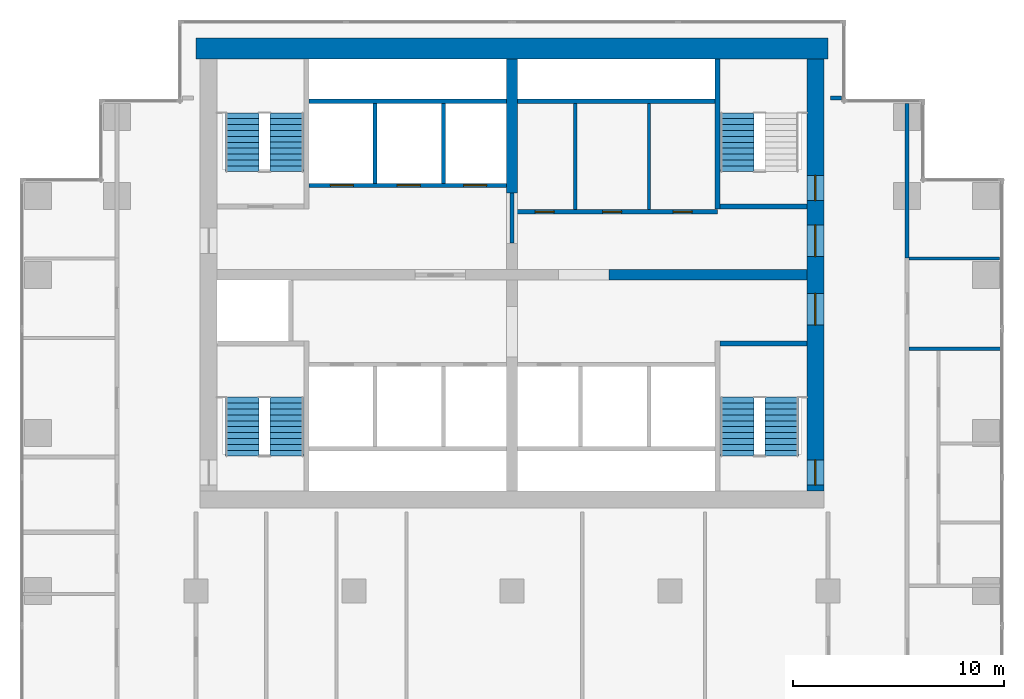
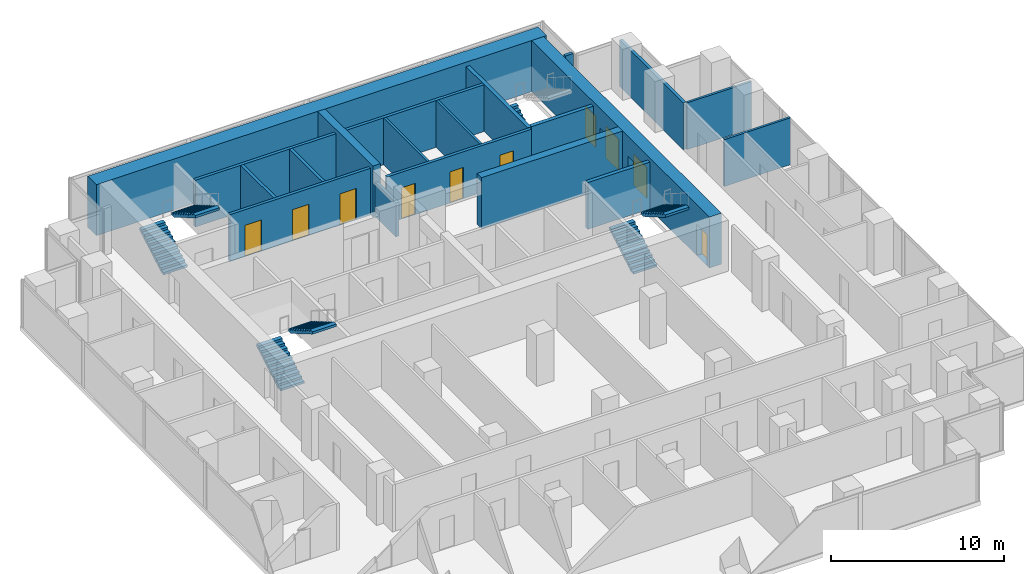
# One storey, part 9 of 11: 20 walls, 10 doors, 7 stair flights, 10 openings, 4 elements without a shape of their own.
"""IFC4 building model written with IfcOpenShell, lengths in metres."""

from ifc_helpers import new_model, si_unit, direction, frame, frame_2d, origin, place, context, subcontext, project, spatial, polyline, rectangle, outline, extrude, material, layer, layer_set, type_object, element, fill, aggregate, save


model = new_model("IFC4")

# Units and contexts
model_context = context("Model", 3, precision=1e-05, world=origin(), true_north=direction((0.0, 1.0)))
body_context = subcontext(model_context, "Body", "Model", "MODEL_VIEW")
ifc_project = project(units=[si_unit("LENGTHUNIT", "METRE"), si_unit("AREAUNIT", "SQUARE_METRE"), si_unit("VOLUMEUNIT", "CUBIC_METRE"), si_unit("PLANEANGLEUNIT", "RADIAN"), si_unit("MASSUNIT", "GRAM", prefix="KILO")], contexts=[model_context])

# Site, building, storey
site_placement = place(None, origin())
site = spatial("IfcSite", under=ifc_project, at=site_placement, CompositionType="ELEMENT")
building_placement = place(site_placement, origin())
building = spatial("IfcBuilding", under=site, at=building_placement, Name="Pilkhan Gate Tower", CompositionType="ELEMENT")
storey_placement = place(building_placement, frame((0.0, 0.0, 125.199951171875)))
storey = spatial("IfcBuildingStorey", under=building, at=storey_placement, Name="L31", CompositionType="ELEMENT", Elevation=125.199951171875)

# Wall
ifc_material_1 = material(Name="Concrete C60/75", Category="concrete")
ifc_layer_1 = layer(ifc_material_1, 1.0)
ifc_layer_set_1 = layer_set([ifc_layer_1], Name="Core wall CW1000 C60/75")
wall_type_1 = type_object("IfcWallType", Name="Core wall CW1000 C60/75", PredefinedType="SHEAR", material=ifc_layer_set_1)
wall_1_placement = place(storey_placement, frame((90.0, 93.25, 0.0), z_axis=(0.0, 0.0, 1.0), x_axis=(-1.0, 0.0, 0.0)))
element("IfcWall", 1, at=wall_1_placement, inside=storey, type_object=wall_type_1, Name="Core wall N L31", PredefinedType="SHEAR", context=body_context, shape_type="SweptSolid", body=[
    extrude(rectangle(XDim=30.0, YDim=1.0, at=frame_2d((15.0, 0.0))), origin(), (0.0, 0.0, 1.0), 3.60009765625),
])

# Wall, openings, doors
ifc_layer_2 = layer(ifc_material_1, 0.800048828125)
ifc_layer_set_2 = layer_set([ifc_layer_2], Name="Core wall CW800 C60/75")
wall_type_2 = type_object("IfcWallType", Name="Core wall CW800 C60/75", PredefinedType="SHEAR", material=ifc_layer_set_2)
wall_2_placement = place(storey_placement, frame((89.39990234375, 72.25, 0.0), z_axis=(0.0, 0.0, 1.0), x_axis=(0.0, 1.0, 0.0)))
wall_2 = element("IfcWall", 2, at=wall_2_placement, inside=storey, type_object=wall_type_2, Name="Core wall E L31", PredefinedType="SHEAR", context=body_context, shape_type="SweptSolid", body=[
    extrude(rectangle(XDim=20.5, YDim=0.800048828125, at=frame_2d((10.25, 0.0))), origin(), (0.0, 0.0, 1.0), 3.60009765625),
])
opening_1_placement = place(wall_2_placement, frame((0.27490234375, 0.0, 0.0)))
opening_1 = element("IfcOpeningElement", 3, at=opening_1_placement, cuts=wall_2, Name="Opening L31-03", PredefinedType="OPENING", context=body_context, shape_type="SweptSolid", body=[
    extrude(rectangle(XDim=1.199951171875, YDim=2.199951171875, at=frame_2d((0.60009765625, 1.10009765625))), frame((0.0, 0.409912109375, 0.0), z_axis=(0.0, -1.0, 0.0), x_axis=(1.0, 0.0, 0.0)), (0.0, 0.0, 1.0), 0.820068359375),
])
opening_2_placement = place(wall_2_placement, frame((13.77490234375, 0.0, 0.0)))
opening_2 = element("IfcOpeningElement", 4, at=opening_2_placement, cuts=wall_2, Name="Opening L31-05", PredefinedType="OPENING", context=body_context, shape_type="SweptSolid", body=[
    extrude(rectangle(XDim=1.199951171875, YDim=2.199951171875, at=frame_2d((0.60009765625, 1.10009765625))), frame((0.0, 0.409912109375, 0.0), z_axis=(0.0, -1.0, 0.0), x_axis=(1.0, 0.0, 0.0)), (0.0, 0.0, 1.0), 0.820068359375),
])
opening_3_placement = place(wall_2_placement, frame((7.875, 0.0, 0.0)))
opening_3 = element("IfcOpeningElement", 5, at=opening_3_placement, cuts=wall_2, Name="Opening L31-10", PredefinedType="OPENING", context=body_context, shape_type="SweptSolid", body=[
    extrude(rectangle(XDim=1.5, YDim=2.199951171875, at=frame_2d((0.75, 1.10009765625))), frame((0.0, 0.409912109375, 0.0), z_axis=(0.0, -1.0, 0.0), x_axis=(1.0, 0.0, 0.0)), (0.0, 0.0, 1.0), 0.820068359375),
])
opening_4_placement = place(wall_2_placement, frame((11.125, 0.0, 0.0)))
opening_4 = element("IfcOpeningElement", 6, at=opening_4_placement, cuts=wall_2, Name="Opening L31-12", PredefinedType="OPENING", context=body_context, shape_type="SweptSolid", body=[
    extrude(rectangle(XDim=1.5, YDim=2.199951171875, at=frame_2d((0.75, 1.10009765625))), frame((0.0, 0.409912109375, 0.0), z_axis=(0.0, -1.0, 0.0), x_axis=(1.0, 0.0, 0.0)), (0.0, 0.0, 1.0), 0.820068359375),
])
ifc_material_2 = material(Name="Steel framed glazed door, 60 minute fire resisting", Category="steel")
door_type_1 = type_object("IfcDoorType", Name="Lobby door D09 1500x2200", OperationType="DOUBLE_DOOR_SINGLE_SWING", PredefinedType="DOOR", material=ifc_material_2)
door_1_placement = place(opening_3_placement, origin())
door_1 = element("IfcDoor", 7, at=door_1_placement, inside=storey, type_object=door_type_1, Name="Core door", OperationType="DOUBLE_DOOR_SINGLE_SWING", OverallHeight=2.199951171875, OverallWidth=1.5, PredefinedType="DOOR", context=body_context, shape_type="SweptSolid", body=[
    extrude(rectangle(XDim=1.5, YDim=2.199951171875, at=frame_2d((0.75, 1.10009765625))), frame((0.0, 0.02490234375, 0.0), z_axis=(0.0, -1.0, 0.0), x_axis=(1.0, 0.0, 0.0)), (0.0, 0.0, 1.0), 0.050048828125),
])
fill(opening_3, door_1)
door_2_placement = place(opening_4_placement, origin())
door_2 = element("IfcDoor", 8, at=door_2_placement, inside=storey, type_object=door_type_1, Name="Core door", OperationType="DOUBLE_DOOR_SINGLE_SWING", OverallHeight=2.199951171875, OverallWidth=1.5, PredefinedType="DOOR", context=body_context, shape_type="SweptSolid", body=[
    extrude(rectangle(XDim=1.5, YDim=2.199951171875, at=frame_2d((0.75, 1.10009765625))), frame((0.0, 0.02490234375, 0.0), z_axis=(0.0, -1.0, 0.0), x_axis=(1.0, 0.0, 0.0)), (0.0, 0.0, 1.0), 0.050048828125),
])
fill(opening_4, door_2)
ifc_material_3 = material(Name="Steel door, 120 minute fire resisting, panic bar", Category="steel")
door_type_2 = type_object("IfcDoorType", Name="Stair door D11 1200x2200", OperationType="SINGLE_SWING_LEFT", PredefinedType="DOOR", material=ifc_material_3)
door_3_placement = place(opening_1_placement, origin())
door_3 = element("IfcDoor", 9, at=door_3_placement, inside=storey, type_object=door_type_2, Name="Stair ST1 door", OperationType="SINGLE_SWING_LEFT", OverallHeight=2.199951171875, OverallWidth=1.199951171875, PredefinedType="DOOR", context=body_context, shape_type="SweptSolid", body=[
    extrude(rectangle(XDim=1.199951171875, YDim=2.199951171875, at=frame_2d((0.60009765625, 1.10009765625))), frame((0.0, 0.02490234375, 0.0), z_axis=(0.0, -1.0, 0.0), x_axis=(1.0, 0.0, 0.0)), (0.0, 0.0, 1.0), 0.050048828125),
])
fill(opening_1, door_3)
door_4_placement = place(opening_2_placement, origin())
door_4 = element("IfcDoor", 10, at=door_4_placement, inside=storey, type_object=door_type_2, Name="Stair ST4 door", OperationType="SINGLE_SWING_RIGHT", OverallHeight=2.199951171875, OverallWidth=1.199951171875, PredefinedType="DOOR", context=body_context, shape_type="SweptSolid", body=[
    extrude(rectangle(XDim=1.199951171875, YDim=2.199951171875, at=frame_2d((0.60009765625, 1.10009765625))), frame((0.0, 0.02490234375, 0.0), z_axis=(0.0, -1.0, 0.0), x_axis=(1.0, 0.0, 0.0)), (0.0, 0.0, 1.0), 0.050048828125),
])
fill(opening_2, door_4)

# Walls
ifc_material_4 = material(Name="Dense blockwork", Category="masonry")
ifc_layer_3 = layer(ifc_material_4, 0.199951171875)
ifc_layer_set_3 = layer_set([ifc_layer_3], Name="Corridor wall FW200")
wall_type_3 = type_object("IfcWallType", Name="Corridor wall FW200", PredefinedType="PARTITIONING", material=ifc_layer_set_3)
wall_3_placement = place(storey_placement, frame((90.1201171875, 90.89990234375, 0.0), z_axis=(0.0, 0.0, 1.0), x_axis=(1.0, 0.0, 0.0)))
element("IfcWall", 11, at=wall_3_placement, inside=storey, type_object=wall_type_3, Name="Partition L31", PredefinedType="PARTITIONING", context=body_context, shape_type="SweptSolid", body=[
    extrude(rectangle(XDim=0.52490234375, YDim=0.199951171875, at=frame_2d((0.262451171875, 0.0))), origin(), (0.0, 0.0, 1.0), 3.300048828125),
])
wall_4_placement = place(storey_placement, frame((93.75, 83.31005859375, 0.0), z_axis=(0.0, 0.0, 1.0), x_axis=(0.0, 1.0, 0.0)))
element("IfcWall", 12, at=wall_4_placement, inside=storey, type_object=wall_type_3, Name="Partition L31", PredefinedType="PARTITIONING", context=body_context, shape_type="SweptSolid", body=[
    extrude(rectangle(XDim=7.3349609375, YDim=0.199951171875, at=frame_2d((3.66748046875, 0.0))), origin(), (0.0, 0.0, 1.0), 3.300048828125),
])

# Wall, openings, doors
ifc_layer_4 = layer(ifc_material_4, 0.199951171875)
ifc_layer_set_4 = layer_set([ifc_layer_4], Name="Lobby wall LW200")
wall_type_4 = type_object("IfcWallType", Name="Lobby wall LW200", PredefinedType="PARTITIONING", material=ifc_layer_set_4)
wall_5_placement = place(storey_placement, frame((75.10009765625, 85.5, 0.0), z_axis=(0.0, 0.0, 1.0), x_axis=(1.0, 0.0, 0.0)))
wall_5 = element("IfcWall", 13, at=wall_5_placement, inside=storey, type_object=wall_type_4, Name="Partition L31", PredefinedType="PARTITIONING", context=body_context, shape_type="SweptSolid", body=[
    extrude(rectangle(XDim=9.64990234375, YDim=0.199951171875, at=frame_2d((4.824951171875, 0.0))), origin(), (0.0, 0.0, 1.0), 3.300048828125),
])
opening_5_placement = place(wall_5_placement, frame((1.0, 0.0, 0.0)))
opening_5 = element("IfcOpeningElement", 14, at=opening_5_placement, cuts=wall_5, Name="Opening L31-13", PredefinedType="OPENING", context=body_context, shape_type="SweptSolid", body=[
    extrude(rectangle(XDim=0.89990234375, YDim=2.199951171875, at=frame_2d((0.449951171875, 1.10009765625))), frame((0.0, 0.10986328125, 0.0), z_axis=(0.0, -1.0, 0.0), x_axis=(1.0, 0.0, 0.0)), (0.0, 0.0, 1.0), 0.219970703125),
])
opening_6_placement = place(wall_5_placement, frame((4.199951171875, 0.0, 0.0)))
opening_6 = element("IfcOpeningElement", 15, at=opening_6_placement, cuts=wall_5, Name="Opening L31-14", PredefinedType="OPENING", context=body_context, shape_type="SweptSolid", body=[
    extrude(rectangle(XDim=0.89990234375, YDim=2.199951171875, at=frame_2d((0.449951171875, 1.10009765625))), frame((0.0, 0.10986328125, 0.0), z_axis=(0.0, -1.0, 0.0), x_axis=(1.0, 0.0, 0.0)), (0.0, 0.0, 1.0), 0.219970703125),
])
opening_7_placement = place(wall_5_placement, frame((7.550048828125, 0.0, 0.0)))
opening_7 = element("IfcOpeningElement", 16, at=opening_7_placement, cuts=wall_5, Name="Opening L31-15", PredefinedType="OPENING", context=body_context, shape_type="SweptSolid", body=[
    extrude(rectangle(XDim=0.89990234375, YDim=2.199951171875, at=frame_2d((0.449951171875, 1.10009765625))), frame((0.0, 0.10986328125, 0.0), z_axis=(0.0, -1.0, 0.0), x_axis=(1.0, 0.0, 0.0)), (0.0, 0.0, 1.0), 0.219970703125),
])
ifc_material_5 = material(Name="Timber flush door, 60 minute fire resisting, self-closing", Category="wood")
door_type_3 = type_object("IfcDoorType", Name="Store door D05 900x2200", OperationType="SINGLE_SWING_LEFT", PredefinedType="DOOR", material=ifc_material_5)
door_5_placement = place(opening_6_placement, origin())
door_5 = element("IfcDoor", 17, at=door_5_placement, inside=storey, type_object=door_type_3, Name="Store door", OperationType="SINGLE_SWING_LEFT", OverallHeight=2.199951171875, OverallWidth=0.89990234375, PredefinedType="DOOR", context=body_context, shape_type="SweptSolid", body=[
    extrude(rectangle(XDim=0.89990234375, YDim=2.199951171875, at=frame_2d((0.449951171875, 1.10009765625))), frame((0.0, 0.02490234375, 0.0), z_axis=(0.0, -1.0, 0.0), x_axis=(1.0, 0.0, 0.0)), (0.0, 0.0, 1.0), 0.050048828125),
])
fill(opening_6, door_5)
door_6_placement = place(opening_7_placement, origin())
door_6 = element("IfcDoor", 18, at=door_6_placement, inside=storey, type_object=door_type_3, Name="Store door", OperationType="SINGLE_SWING_LEFT", OverallHeight=2.199951171875, OverallWidth=0.89990234375, PredefinedType="DOOR", context=body_context, shape_type="SweptSolid", body=[
    extrude(rectangle(XDim=0.89990234375, YDim=2.199951171875, at=frame_2d((0.449951171875, 1.10009765625))), frame((0.0, 0.02490234375, 0.0), z_axis=(0.0, -1.0, 0.0), x_axis=(1.0, 0.0, 0.0)), (0.0, 0.0, 1.0), 0.050048828125),
])
fill(opening_7, door_6)
ifc_material_6 = material(Name="Timber flush door, 30 minute fire resisting", Category="wood")
door_type_4 = type_object("IfcDoorType", Name="Toilet door D06 900x2200", OperationType="SINGLE_SWING_LEFT", PredefinedType="DOOR", material=ifc_material_6)
door_7_placement = place(opening_5_placement, origin())
door_7 = element("IfcDoor", 19, at=door_7_placement, inside=storey, type_object=door_type_4, Name="Toilet door", OperationType="SINGLE_SWING_LEFT", OverallHeight=2.199951171875, OverallWidth=0.89990234375, PredefinedType="DOOR", context=body_context, shape_type="SweptSolid", body=[
    extrude(rectangle(XDim=0.89990234375, YDim=2.199951171875, at=frame_2d((0.449951171875, 1.10009765625))), frame((0.0, 0.02490234375, 0.0), z_axis=(0.0, -1.0, 0.0), x_axis=(1.0, 0.0, 0.0)), (0.0, 0.0, 1.0), 0.050048828125),
])
fill(opening_5, door_7)

# Walls
wall_6_placement = place(storey_placement, frame((75.260009765625, 90.75, 0.0), z_axis=(0.0, 0.0, 1.0), x_axis=(1.0, 0.0, 0.0)))
element("IfcWall", 20, at=wall_6_placement, inside=storey, type_object=wall_type_4, Name="Partition L31", PredefinedType="PARTITIONING", context=body_context, shape_type="SweptSolid", body=[
    extrude(rectangle(XDim=9.364990234375, YDim=0.199951171875, at=frame_2d((4.6826171875, 0.0))), origin(), (0.0, 0.0, 1.0), 3.300048828125),
])
wall_7_placement = place(storey_placement, frame((75.0, 84.010009765625, 0.0), z_axis=(0.0, 0.0, 1.0), x_axis=(0.0, 1.0, 0.0)))
element("IfcWall", 21, at=wall_7_placement, inside=storey, type_object=wall_type_4, Name="Partition L31", PredefinedType="PARTITIONING", context=body_context, shape_type="SweptSolid", body=[
    extrude(rectangle(XDim=2.3798828125, YDim=0.199951171875, at=frame_2d((1.18994140625, 0.0))), origin(), (0.0, 0.0, 1.0), 2.400146484375),
])
ifc_material_7 = material(Name="Blockwork partition, plastered both sides", Category="masonry")
ifc_layer_5 = layer(ifc_material_7, 0.14990234375)
ifc_layer_set_5 = layer_set([ifc_layer_5], Name="Partition PW150")
wall_type_5 = type_object("IfcWallType", Name="Partition PW150", PredefinedType="PARTITIONING", material=ifc_layer_set_5)
wall_8_placement = place(storey_placement, frame((93.85009765625, 79.0, 0.0), z_axis=(0.0, 0.0, 1.0), x_axis=(1.0, 0.0, 0.0)))
element("IfcWall", 22, at=wall_8_placement, inside=storey, type_object=wall_type_5, Name="Partition L31", PredefinedType="PARTITIONING", context=body_context, shape_type="SweptSolid", body=[
    extrude(rectangle(XDim=4.414794921875, YDim=0.14990234375, at=frame_2d((2.20751953125, 0.0))), origin(), (0.0, 0.0, 1.0), 3.300048828125),
])
wall_9_placement = place(storey_placement, frame((93.85009765625, 83.280029296875, 0.0), z_axis=(0.0, 0.0, 1.0), x_axis=(1.0, 0.0, 0.0)))
element("IfcWall", 23, at=wall_9_placement, inside=storey, type_object=wall_type_5, Name="Partition L31", PredefinedType="PARTITIONING", context=body_context, shape_type="SweptSolid", body=[
    extrude(rectangle(XDim=4.294921875, YDim=0.14990234375, at=frame_2d((2.1474609375, 0.0))), origin(), (0.0, 0.0, 1.0), 3.300048828125),
])
for number, where, z_axis, x_axis, name in (
    (24, (78.0, 85.60009765625, 0.0), (0.0, 0.0, 1.0), (0.0, 1.0, 0.0), "Partition L31"),
    (25, (81.5, 85.60009765625, 0.0), (0.0, 0.0, 1.0), (0.0, 1.0, 0.0), "Partition L31"),
):
    element("IfcWall", number, at=place(storey_placement, frame(where, z_axis=z_axis, x_axis=x_axis)), inside=storey, type_object=wall_type_5, Name=name, PredefinedType="PARTITIONING", context=body_context, shape_type="SweptSolid", body=[
        extrude(rectangle(XDim=5.0498046875, YDim=0.14990234375, at=frame_2d((2.52490234375, 0.0))), origin(), (0.0, 0.0, 1.0), 3.300048828125),
    ])

# Wall, openings, doors
ifc_material_8 = material(Name="Reinforced blockwork shaft wall, 120 minute fire resisting", Category="masonry")
ifc_layer_6 = layer(ifc_material_8, 0.199951171875)
ifc_layer_set_6 = layer_set([ifc_layer_6], Name="Shaft wall SW200")
wall_type_6 = type_object("IfcWallType", Name="Shaft wall SW200", PredefinedType="PARTITIONING", material=ifc_layer_set_6)
wall_10_placement = place(storey_placement, frame((65.375, 86.75, 0.0), z_axis=(0.0, 0.0, 1.0), x_axis=(1.0, 0.0, 0.0)))
wall_10 = element("IfcWall", 26, at=wall_10_placement, inside=storey, type_object=wall_type_6, Name="Partition L31", PredefinedType="PARTITIONING", context=body_context, shape_type="SweptSolid", body=[
    extrude(rectangle(XDim=9.364990234375, YDim=0.199951171875, at=frame_2d((4.6826171875, 0.0))), origin(), (0.0, 0.0, 1.0), 3.300048828125),
])
opening_8_placement = place(wall_10_placement, frame((1.0, 0.0, 0.0)))
opening_8 = element("IfcOpeningElement", 27, at=opening_8_placement, cuts=wall_10, Name="Opening LD", PredefinedType="OPENING", context=body_context, shape_type="SweptSolid", body=[
    extrude(rectangle(XDim=1.10009765625, YDim=2.199951171875, at=frame_2d((0.550048828125, 1.10009765625))), frame((0.0, 0.10986328125, 0.0), z_axis=(0.0, -1.0, 0.0), x_axis=(1.0, 0.0, 0.0)), (0.0, 0.0, 1.0), 0.219970703125),
])
opening_9_placement = place(wall_10_placement, frame((4.175048828125, 0.0, 0.0)))
opening_9 = element("IfcOpeningElement", 28, at=opening_9_placement, cuts=wall_10, Name="Opening LD", PredefinedType="OPENING", context=body_context, shape_type="SweptSolid", body=[
    extrude(rectangle(XDim=1.10009765625, YDim=2.199951171875, at=frame_2d((0.550048828125, 1.10009765625))), frame((0.0, 0.10986328125, 0.0), z_axis=(0.0, -1.0, 0.0), x_axis=(1.0, 0.0, 0.0)), (0.0, 0.0, 1.0), 0.219970703125),
])
opening_10_placement = place(wall_10_placement, frame((7.324951171875, 0.0, 0.0)))
opening_10 = element("IfcOpeningElement", 29, at=opening_10_placement, cuts=wall_10, Name="Opening LD", PredefinedType="OPENING", context=body_context, shape_type="SweptSolid", body=[
    extrude(rectangle(XDim=1.10009765625, YDim=2.199951171875, at=frame_2d((0.550048828125, 1.10009765625))), frame((0.0, 0.10986328125, 0.0), z_axis=(0.0, -1.0, 0.0), x_axis=(1.0, 0.0, 0.0)), (0.0, 0.0, 1.0), 0.219970703125),
])
ifc_material_9 = material(Name="Stainless steel centre-opening landing door, 120 minute fire resisting", Category="steel")
door_type_5 = type_object("IfcDoorType", Name="Lift landing door LD 1100x2200", OperationType="DOUBLE_DOOR_SLIDING", PredefinedType="DOOR", material=ifc_material_9)
door_8_placement = place(opening_8_placement, origin())
door_8 = element("IfcDoor", 30, at=door_8_placement, inside=storey, type_object=door_type_5, Name="Landing door FF1", OperationType="DOUBLE_DOOR_SLIDING", OverallHeight=2.199951171875, OverallWidth=1.10009765625, PredefinedType="DOOR", context=body_context, shape_type="SweptSolid", body=[
    extrude(rectangle(XDim=1.10009765625, YDim=2.199951171875, at=frame_2d((0.550048828125, 1.10009765625))), frame((0.0, 0.02490234375, 0.0), z_axis=(0.0, -1.0, 0.0), x_axis=(1.0, 0.0, 0.0)), (0.0, 0.0, 1.0), 0.050048828125),
])
fill(opening_8, door_8)
door_9_placement = place(opening_9_placement, origin())
door_9 = element("IfcDoor", 31, at=door_9_placement, inside=storey, type_object=door_type_5, Name="Landing door FF2", OperationType="DOUBLE_DOOR_SLIDING", OverallHeight=2.199951171875, OverallWidth=1.10009765625, PredefinedType="DOOR", context=body_context, shape_type="SweptSolid", body=[
    extrude(rectangle(XDim=1.10009765625, YDim=2.199951171875, at=frame_2d((0.550048828125, 1.10009765625))), frame((0.0, 0.02490234375, 0.0), z_axis=(0.0, -1.0, 0.0), x_axis=(1.0, 0.0, 0.0)), (0.0, 0.0, 1.0), 0.050048828125),
])
fill(opening_9, door_9)
door_10_placement = place(opening_10_placement, origin())
door_10 = element("IfcDoor", 32, at=door_10_placement, inside=storey, type_object=door_type_5, Name="Landing door SV1", OperationType="DOUBLE_DOOR_SLIDING", OverallHeight=2.199951171875, OverallWidth=1.10009765625, PredefinedType="DOOR", context=body_context, shape_type="SweptSolid", body=[
    extrude(rectangle(XDim=1.10009765625, YDim=2.199951171875, at=frame_2d((0.550048828125, 1.10009765625))), frame((0.0, 0.02490234375, 0.0), z_axis=(0.0, -1.0, 0.0), x_axis=(1.0, 0.0, 0.0)), (0.0, 0.0, 1.0), 0.050048828125),
])
fill(opening_10, door_10)

# Walls
wall_11_placement = place(storey_placement, frame((65.375, 90.75, 0.0), z_axis=(0.0, 0.0, 1.0), x_axis=(1.0, 0.0, 0.0)))
element("IfcWall", 33, at=wall_11_placement, inside=storey, type_object=wall_type_6, Name="Partition L31", PredefinedType="PARTITIONING", context=body_context, shape_type="SweptSolid", body=[
    extrude(rectangle(XDim=9.364990234375, YDim=0.199951171875, at=frame_2d((4.6826171875, 0.0))), origin(), (0.0, 0.0, 1.0), 3.300048828125),
])
for number, where, z_axis, x_axis, name in (
    (34, (68.5, 86.85009765625, 0.0), (0.0, 0.0, 1.0), (0.0, 1.0, 0.0), "Partition L31"),
    (35, (71.75, 86.85009765625, 0.0), (0.0, 0.0, 1.0), (0.0, 1.0, 0.0), "Partition L31"),
):
    element("IfcWall", number, at=place(storey_placement, frame(where, z_axis=z_axis, x_axis=x_axis)), inside=storey, type_object=wall_type_6, Name=name, PredefinedType="PARTITIONING", context=body_context, shape_type="SweptSolid", body=[
        extrude(rectangle(XDim=3.7998046875, YDim=0.199951171875, at=frame_2d((1.89990234375, 0.0))), origin(), (0.0, 0.0, 1.0), 3.300048828125),
    ])
ifc_layer_7 = layer(ifc_material_1, 0.5)
ifc_layer_set_7 = layer_set([ifc_layer_7], Name="Spine wall SW500 C60/75")
wall_type_7 = type_object("IfcWallType", Name="Spine wall SW500 C60/75", PredefinedType="SHEAR", material=ifc_layer_set_7)
wall_12_placement = place(storey_placement, frame((79.60009765625, 82.5, 0.0), z_axis=(0.0, 0.0, 1.0), x_axis=(1.0, 0.0, 0.0)))
element("IfcWall", 36, at=wall_12_placement, inside=storey, type_object=wall_type_7, Name="Spine wall SP-EW3 L31", PredefinedType="SHEAR", context=body_context, shape_type="SweptSolid", body=[
    extrude(rectangle(XDim=9.39990234375, YDim=0.5, at=frame_2d((4.699951171875, 0.0))), origin(), (0.0, 0.0, 1.0), 3.60009765625),
])
wall_13_placement = place(storey_placement, frame((75.0, 86.39990234375, 0.0), z_axis=(0.0, 0.0, 1.0), x_axis=(0.0, 1.0, 0.0)))
element("IfcWall", 37, at=wall_13_placement, inside=storey, type_object=wall_type_7, Name="Spine wall SP-NS-N2 L31", PredefinedType="SHEAR", context=body_context, shape_type="SweptSolid", body=[
    extrude(rectangle(XDim=6.35009765625, YDim=0.5, at=frame_2d((3.175048828125, 0.0))), origin(), (0.0, 0.0, 1.0), 3.60009765625),
])
ifc_material_10 = material(Name="Reinforced blockwork, 120 minute fire resisting", Category="masonry")
ifc_layer_8 = layer(ifc_material_10, 0.25)
ifc_layer_set_8 = layer_set([ifc_layer_8], Name="Stair enclosure wall SE250")
wall_type_8 = type_object("IfcWallType", Name="Stair enclosure wall SE250", PredefinedType="PARTITIONING", material=ifc_layer_set_8)
for number, where, z_axis, x_axis, name in (
    (38, (84.875, 79.25, 0.0), (0.0, 0.0, 1.0), (1.0, 0.0, 0.0), "Partition L31"),
    (39, (84.875, 85.75, 0.0), (0.0, 0.0, 1.0), (1.0, 0.0, 0.0), "Partition L31"),
):
    element("IfcWall", number, at=place(storey_placement, frame(where, z_axis=z_axis, x_axis=x_axis)), inside=storey, type_object=wall_type_8, Name=name, PredefinedType="PARTITIONING", context=body_context, shape_type="SweptSolid", body=[
        extrude(rectangle(XDim=4.125, YDim=0.25, at=frame_2d((2.0625, 0.0))), origin(), (0.0, 0.0, 1.0), 3.300048828125),
    ])
wall_14_placement = place(storey_placement, frame((84.75, 85.625, 0.0), z_axis=(0.0, 0.0, 1.0), x_axis=(0.0, 1.0, 0.0)))
element("IfcWall", 40, at=wall_14_placement, inside=storey, type_object=wall_type_8, Name="Partition L31", PredefinedType="PARTITIONING", context=body_context, shape_type="SweptSolid", body=[
    extrude(rectangle(XDim=7.114990234375, YDim=0.25, at=frame_2d((3.5576171875, 0.0))), origin(), (0.0, 0.0, 1.0), 3.300048828125),
])

# Stair, stair flights
ifc_material_11 = material(Name="Concrete C40/50 precast", Category="concrete")
stair_type_1 = type_object("IfcStairType", Name="Stair ST1 164x280", PredefinedType="HALF_TURN_STAIR", material=ifc_material_11)
stair_1_placement = place(storey_placement, origin())
stair_1 = element("IfcStair", 41, at=stair_1_placement, inside=storey, type_object=stair_type_1, Name="Stair ST1 L31", PredefinedType="HALF_TURN_STAIR")
stair_flight_type_1 = type_object("IfcStairFlightType", Name="Stair flight ST1 164x280x11", PredefinedType="STRAIGHT", material=ifc_material_11)
stair_flight_1_placement = place(storey_placement, frame((85.68994140625, 73.89990234375, 0.0), z_axis=(0.0, 0.0, 1.0), x_axis=(0.0, 1.0, 0.0)))
stair_flight_1 = element("IfcStairFlight", 42, at=stair_flight_1_placement, type_object=stair_flight_type_1, Name="ST1 flight 1", NumberOfRisers=11, NumberOfTreads=10, PredefinedType="STRAIGHT", RiserHeight=0.163636364, TreadLength=0.28, context=body_context, shape_type="SweptSolid", body=[
    extrude(outline(polyline([(0.0, 0.0), (0.0, 0.16357421875), (0.280029296875, 0.16357421875), (0.280029296875, 0.327392578125), (0.56005859375, 0.327392578125), (0.56005859375, 0.490966796875), (0.840087890625, 0.490966796875), (0.840087890625, 0.654541015625), (1.1201171875, 0.654541015625), (1.1201171875, 0.818115234375), (1.39990234375, 0.818115234375), (1.39990234375, 0.98193359375), (1.679931640625, 0.98193359375), (1.679931640625, 1.1455078125), (1.9599609375, 1.1455078125), (1.9599609375, 1.30908203125), (2.239990234375, 1.30908203125), (2.239990234375, 1.47265625), (2.52001953125, 1.47265625), (2.52001953125, 1.636474609375), (2.800048828125, 1.636474609375), (2.800048828125, 1.800048828125), (2.800048828125, 1.462646484375), (0.297119140625, 0.0), (0.0, 0.0)])), frame((0.0, 0.7900390625, 0.0), z_axis=(0.0, -1.0, 0.0), x_axis=(1.0, 0.0, 0.0)), (0.0, 0.0, 1.0), 1.580078125),
])
stair_flight_2_placement = place(storey_placement, frame((87.81005859375, 76.699951171875, 1.800048828125), z_axis=(0.0, 0.0, 1.0), x_axis=(0.0, -1.0, 0.0)))
stair_flight_2 = element("IfcStairFlight", 43, at=stair_flight_2_placement, type_object=stair_flight_type_1, Name="ST1 flight 2", NumberOfRisers=11, NumberOfTreads=10, PredefinedType="STRAIGHT", RiserHeight=0.163636364, TreadLength=0.28, context=body_context, shape_type="SweptSolid", body=[
    extrude(outline(polyline([(0.0, 0.0), (0.0, 0.16357421875), (0.280029296875, 0.16357421875), (0.280029296875, 0.327392578125), (0.56005859375, 0.327392578125), (0.56005859375, 0.490966796875), (0.840087890625, 0.490966796875), (0.840087890625, 0.654541015625), (1.1201171875, 0.654541015625), (1.1201171875, 0.818115234375), (1.39990234375, 0.818115234375), (1.39990234375, 0.98193359375), (1.679931640625, 0.98193359375), (1.679931640625, 1.1455078125), (1.9599609375, 1.1455078125), (1.9599609375, 1.30908203125), (2.239990234375, 1.30908203125), (2.239990234375, 1.47265625), (2.52001953125, 1.47265625), (2.52001953125, 1.636474609375), (2.800048828125, 1.636474609375), (2.800048828125, 1.800048828125), (2.800048828125, 1.462646484375), (0.297119140625, 0.0), (0.0, 0.0)])), frame((0.0, 0.7900390625, 0.0), z_axis=(0.0, -1.0, 0.0), x_axis=(1.0, 0.0, 0.0)), (0.0, 0.0, 1.0), 1.580078125),
])
aggregate(stair_1, [stair_flight_1, stair_flight_2])

stair_type_2 = type_object("IfcStairType", Name="Stair ST2 164x280", PredefinedType="HALF_TURN_STAIR", material=ifc_material_11)
stair_2_placement = place(storey_placement, origin())
stair_2 = element("IfcStair", 44, at=stair_2_placement, inside=storey, type_object=stair_type_2, Name="Stair ST2 L31", PredefinedType="HALF_TURN_STAIR")
stair_flight_type_2 = type_object("IfcStairFlightType", Name="Stair flight ST2 164x280x11", PredefinedType="STRAIGHT", material=ifc_material_11)
stair_flight_3_placement = place(storey_placement, frame((62.18994140625, 73.89990234375, 0.0), z_axis=(0.0, 0.0, 1.0), x_axis=(0.0, 1.0, 0.0)))
stair_flight_3 = element("IfcStairFlight", 45, at=stair_flight_3_placement, type_object=stair_flight_type_2, Name="ST2 flight 1", NumberOfRisers=11, NumberOfTreads=10, PredefinedType="STRAIGHT", RiserHeight=0.163636364, TreadLength=0.28, context=body_context, shape_type="SweptSolid", body=[
    extrude(outline(polyline([(0.0, 0.0), (0.0, 0.16357421875), (0.280029296875, 0.16357421875), (0.280029296875, 0.327392578125), (0.56005859375, 0.327392578125), (0.56005859375, 0.490966796875), (0.840087890625, 0.490966796875), (0.840087890625, 0.654541015625), (1.1201171875, 0.654541015625), (1.1201171875, 0.818115234375), (1.39990234375, 0.818115234375), (1.39990234375, 0.98193359375), (1.679931640625, 0.98193359375), (1.679931640625, 1.1455078125), (1.9599609375, 1.1455078125), (1.9599609375, 1.30908203125), (2.239990234375, 1.30908203125), (2.239990234375, 1.47265625), (2.52001953125, 1.47265625), (2.52001953125, 1.636474609375), (2.800048828125, 1.636474609375), (2.800048828125, 1.800048828125), (2.800048828125, 1.462646484375), (0.297119140625, 0.0), (0.0, 0.0)])), frame((0.0, 0.7900390625, 0.0), z_axis=(0.0, -1.0, 0.0), x_axis=(1.0, 0.0, 0.0)), (0.0, 0.0, 1.0), 1.580078125),
])
stair_flight_4_placement = place(storey_placement, frame((64.31005859375, 76.699951171875, 1.800048828125), z_axis=(0.0, 0.0, 1.0), x_axis=(0.0, -1.0, 0.0)))
stair_flight_4 = element("IfcStairFlight", 46, at=stair_flight_4_placement, type_object=stair_flight_type_2, Name="ST2 flight 2", NumberOfRisers=11, NumberOfTreads=10, PredefinedType="STRAIGHT", RiserHeight=0.163636364, TreadLength=0.28, context=body_context, shape_type="SweptSolid", body=[
    extrude(outline(polyline([(0.0, 0.0), (0.0, 0.16357421875), (0.280029296875, 0.16357421875), (0.280029296875, 0.327392578125), (0.56005859375, 0.327392578125), (0.56005859375, 0.490966796875), (0.840087890625, 0.490966796875), (0.840087890625, 0.654541015625), (1.1201171875, 0.654541015625), (1.1201171875, 0.818115234375), (1.39990234375, 0.818115234375), (1.39990234375, 0.98193359375), (1.679931640625, 0.98193359375), (1.679931640625, 1.1455078125), (1.9599609375, 1.1455078125), (1.9599609375, 1.30908203125), (2.239990234375, 1.30908203125), (2.239990234375, 1.47265625), (2.52001953125, 1.47265625), (2.52001953125, 1.636474609375), (2.800048828125, 1.636474609375), (2.800048828125, 1.800048828125), (2.800048828125, 1.462646484375), (0.297119140625, 0.0), (0.0, 0.0)])), frame((0.0, 0.7900390625, 0.0), z_axis=(0.0, -1.0, 0.0), x_axis=(1.0, 0.0, 0.0)), (0.0, 0.0, 1.0), 1.580078125),
])
aggregate(stair_2, [stair_flight_3, stair_flight_4])

stair_type_3 = type_object("IfcStairType", Name="Stair ST3 164x280", PredefinedType="HALF_TURN_STAIR", material=ifc_material_11)
stair_3_placement = place(storey_placement, origin())
stair_3 = element("IfcStair", 47, at=stair_3_placement, inside=storey, type_object=stair_type_3, Name="Stair ST3 L31", PredefinedType="HALF_TURN_STAIR")
stair_flight_type_3 = type_object("IfcStairFlightType", Name="Stair flight ST3 164x280x11", PredefinedType="STRAIGHT", material=ifc_material_11)
stair_flight_5_placement = place(storey_placement, frame((62.18994140625, 87.39990234375, 0.0), z_axis=(0.0, 0.0, 1.0), x_axis=(0.0, 1.0, 0.0)))
stair_flight_5 = element("IfcStairFlight", 48, at=stair_flight_5_placement, type_object=stair_flight_type_3, Name="ST3 flight 1", NumberOfRisers=11, NumberOfTreads=10, PredefinedType="STRAIGHT", RiserHeight=0.163636364, TreadLength=0.28, context=body_context, shape_type="SweptSolid", body=[
    extrude(outline(polyline([(0.0, 0.0), (0.0, 0.16357421875), (0.280029296875, 0.16357421875), (0.280029296875, 0.327392578125), (0.56005859375, 0.327392578125), (0.56005859375, 0.490966796875), (0.840087890625, 0.490966796875), (0.840087890625, 0.654541015625), (1.1201171875, 0.654541015625), (1.1201171875, 0.818115234375), (1.39990234375, 0.818115234375), (1.39990234375, 0.98193359375), (1.679931640625, 0.98193359375), (1.679931640625, 1.1455078125), (1.9599609375, 1.1455078125), (1.9599609375, 1.30908203125), (2.239990234375, 1.30908203125), (2.239990234375, 1.47265625), (2.52001953125, 1.47265625), (2.52001953125, 1.636474609375), (2.800048828125, 1.636474609375), (2.800048828125, 1.800048828125), (2.800048828125, 1.462646484375), (0.297119140625, 0.0), (0.0, 0.0)])), frame((0.0, 0.7900390625, 0.0), z_axis=(0.0, -1.0, 0.0), x_axis=(1.0, 0.0, 0.0)), (0.0, 0.0, 1.0), 1.580078125),
])
stair_flight_6_placement = place(storey_placement, frame((64.31005859375, 90.199951171875, 1.800048828125), z_axis=(0.0, 0.0, 1.0), x_axis=(0.0, -1.0, 0.0)))
stair_flight_6 = element("IfcStairFlight", 49, at=stair_flight_6_placement, type_object=stair_flight_type_3, Name="ST3 flight 2", NumberOfRisers=11, NumberOfTreads=10, PredefinedType="STRAIGHT", RiserHeight=0.163636364, TreadLength=0.28, context=body_context, shape_type="SweptSolid", body=[
    extrude(outline(polyline([(0.0, 0.0), (0.0, 0.16357421875), (0.280029296875, 0.16357421875), (0.280029296875, 0.327392578125), (0.56005859375, 0.327392578125), (0.56005859375, 0.490966796875), (0.840087890625, 0.490966796875), (0.840087890625, 0.654541015625), (1.1201171875, 0.654541015625), (1.1201171875, 0.818115234375), (1.39990234375, 0.818115234375), (1.39990234375, 0.98193359375), (1.679931640625, 0.98193359375), (1.679931640625, 1.1455078125), (1.9599609375, 1.1455078125), (1.9599609375, 1.30908203125), (2.239990234375, 1.30908203125), (2.239990234375, 1.47265625), (2.52001953125, 1.47265625), (2.52001953125, 1.636474609375), (2.800048828125, 1.636474609375), (2.800048828125, 1.800048828125), (2.800048828125, 1.462646484375), (0.297119140625, 0.0), (0.0, 0.0)])), frame((0.0, 0.7900390625, 0.0), z_axis=(0.0, -1.0, 0.0), x_axis=(1.0, 0.0, 0.0)), (0.0, 0.0, 1.0), 1.580078125),
])
aggregate(stair_3, [stair_flight_5, stair_flight_6])

# Stair, stair flight
stair_type_4 = type_object("IfcStairType", Name="Stair ST4 164x280", PredefinedType="HALF_TURN_STAIR", material=ifc_material_11)
stair_4_placement = place(storey_placement, origin())
stair_4 = element("IfcStair", 50, at=stair_4_placement, inside=storey, type_object=stair_type_4, Name="Stair ST4 L31", PredefinedType="HALF_TURN_STAIR")
stair_flight_type_4 = type_object("IfcStairFlightType", Name="Stair flight ST4 164x280x11", PredefinedType="STRAIGHT", material=ifc_material_11)
stair_flight_7_placement = place(storey_placement, frame((85.68994140625, 87.39990234375, 0.0), z_axis=(0.0, 0.0, 1.0), x_axis=(0.0, 1.0, 0.0)))
stair_flight_7 = element("IfcStairFlight", 51, at=stair_flight_7_placement, type_object=stair_flight_type_4, Name="ST4 flight 1", NumberOfRisers=11, NumberOfTreads=10, PredefinedType="STRAIGHT", RiserHeight=0.163636364, TreadLength=0.28, context=body_context, shape_type="SweptSolid", body=[
    extrude(outline(polyline([(0.0, 0.0), (0.0, 0.16357421875), (0.280029296875, 0.16357421875), (0.280029296875, 0.327392578125), (0.56005859375, 0.327392578125), (0.56005859375, 0.490966796875), (0.840087890625, 0.490966796875), (0.840087890625, 0.654541015625), (1.1201171875, 0.654541015625), (1.1201171875, 0.818115234375), (1.39990234375, 0.818115234375), (1.39990234375, 0.98193359375), (1.679931640625, 0.98193359375), (1.679931640625, 1.1455078125), (1.9599609375, 1.1455078125), (1.9599609375, 1.30908203125), (2.239990234375, 1.30908203125), (2.239990234375, 1.47265625), (2.52001953125, 1.47265625), (2.52001953125, 1.636474609375), (2.800048828125, 1.636474609375), (2.800048828125, 1.800048828125), (2.800048828125, 1.462646484375), (0.297119140625, 0.0), (0.0, 0.0)])), frame((0.0, 0.7900390625, 0.0), z_axis=(0.0, -1.0, 0.0), x_axis=(1.0, 0.0, 0.0)), (0.0, 0.0, 1.0), 1.580078125),
])
aggregate(stair_4, [stair_flight_7])

save(model, "model.ifc")
